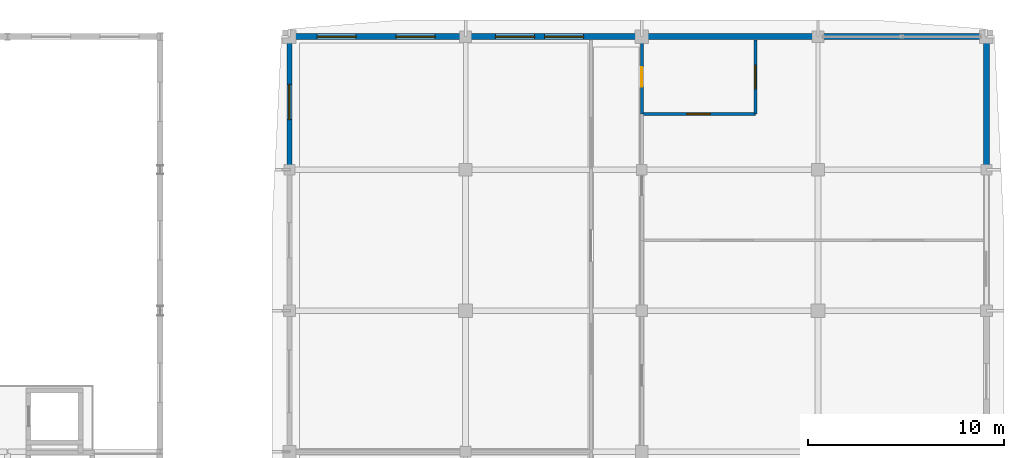
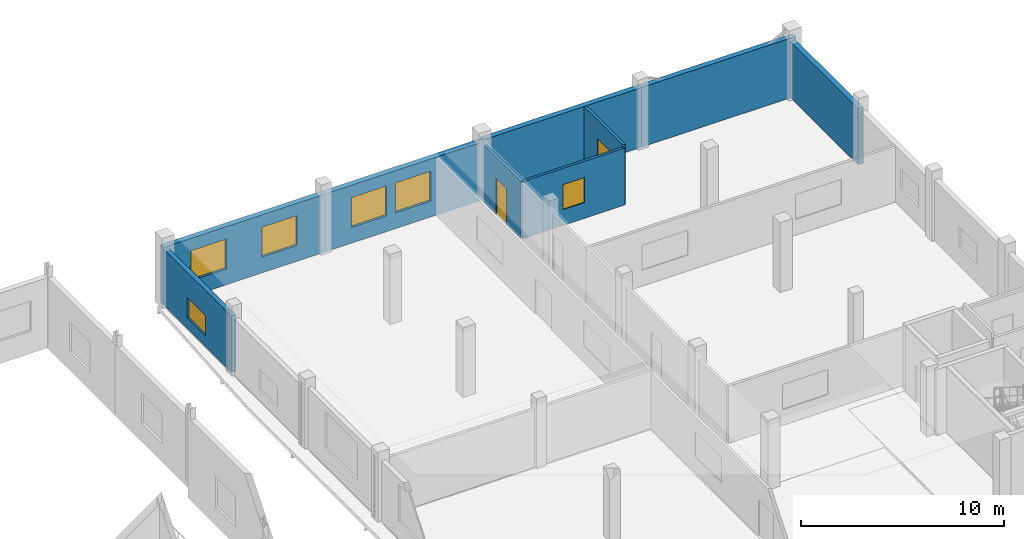
# One storey, part 104 of 121: 9 walls, 7 windows, 1 door, 8 openings.
"""IFC4 building model written with IfcOpenShell, lengths in metres."""

from ifc_helpers import new_model, si_unit, direction, frame, frame_2d, origin, place, context, subcontext, project, spatial, rectangle, extrude, material, layer, layer_set, type_object, element, fill, save


model = new_model("IFC4")

# Units and contexts
model_context = context("Model", 3, precision=1e-05, world=origin(), true_north=direction((0.0, 1.0)))
body_context = subcontext(model_context, "Body", "Model", "MODEL_VIEW")
ifc_project = project(units=[si_unit("LENGTHUNIT", "METRE"), si_unit("AREAUNIT", "SQUARE_METRE"), si_unit("VOLUMEUNIT", "CUBIC_METRE"), si_unit("PLANEANGLEUNIT", "RADIAN"), si_unit("MASSUNIT", "GRAM", prefix="KILO")], contexts=[model_context])

# Site, building, storey
site_placement = place(None, origin())
site = spatial("IfcSite", under=ifc_project, at=site_placement, CompositionType="ELEMENT")
building_placement = place(site_placement, origin())
building = spatial("IfcBuilding", under=site, at=building_placement, Name="Vinh Khe Railworks Police Headquarters", CompositionType="ELEMENT")
storey_placement = place(building_placement, frame((0.0, 0.0, 4.800048828125)))
storey = spatial("IfcBuildingStorey", under=building, at=storey_placement, Name="L01", CompositionType="ELEMENT", Elevation=4.800048828125)

# Wall, opening, window
ifc_material_1 = material(Name="Clay brickwork", Category="masonry")
ifc_layer_1 = layer(ifc_material_1, 0.260009765625)
ifc_layer_set_1 = layer_set([ifc_layer_1], Name="Clay brickwork")
wall_type_1 = type_object("IfcWallType", Name="EW-BRK-260", PredefinedType="SOLIDWALL", material=ifc_layer_set_1)
wall_1_placement = place(storey_placement, frame((78.0, 159.60009765625, 0.0), z_axis=(0.0, 0.0, 1.0), x_axis=(0.0, 1.0, 0.0)))
wall_1 = element("IfcWall", 1, at=wall_1_placement, inside=storey, type_object=wall_type_1, Name="Exterior Brick Wall EW-L01-V6W-09", PredefinedType="SOLIDWALL", context=body_context, shape_type="SweptSolid", body=[
    extrude(rectangle(XDim=6.929931640625, YDim=0.260009765625, at=frame_2d((3.46484375, 0.0))), origin(), (0.0, 0.0, 1.0), 3.375),
])
opening_1_placement = place(wall_1_placement, frame((2.56494140625, 0.0, 0.64990234375)))
opening_1 = element("IfcOpeningElement", 2, at=opening_1_placement, cuts=wall_1, Name="Opening WN-08", PredefinedType="OPENING", context=body_context, shape_type="SweptSolid", body=[
    extrude(rectangle(XDim=1.800048828125, YDim=1.199951171875, at=frame_2d((0.89990234375, 0.60009765625))), frame((0.0, 0.14501953125, 0.0), z_axis=(0.0, -1.0, 0.0), x_axis=(1.0, 0.0, 0.0)), (0.0, 0.0, 1.0), 0.289794921875),
])
ifc_material_2 = material(Name="Double-glazed solar-control glass in dark steel frame", Category="steel")
window_type_1 = type_object("IfcWindowType", Name="WIN-WN-08", PartitioningType="SINGLE_PANEL", PredefinedType="WINDOW", material=ifc_material_2)
window_1_placement = place(opening_1_placement, origin())
window_1 = element("IfcWindow", 3, at=window_1_placement, inside=storey, type_object=window_type_1, Name="Casement Window WN-08", OverallHeight=1.199951171875, OverallWidth=1.800048828125, PartitioningType="SINGLE_PANEL", PredefinedType="WINDOW", context=body_context, shape_type="SweptSolid", body=[
    extrude(rectangle(XDim=1.800048828125, YDim=1.199951171875, at=frame_2d((0.89990234375, 0.60009765625))), frame((0.0, 0.030029296875, 0.0), z_axis=(0.0, -1.0, 0.0), x_axis=(1.0, 0.0, 0.0)), (0.0, 0.0, 1.0), 0.06005859375),
])
fill(opening_1, window_1)

# Wall
ifc_layer_2 = layer(ifc_material_1, 0.300048828125)
ifc_layer_set_2 = layer_set([ifc_layer_2], Name="Clay brickwork")
wall_type_2 = type_object("IfcWallType", Name="EW-BRK-300", PredefinedType="SOLIDWALL", material=ifc_layer_set_2)
wall_2_placement = place(storey_placement, frame((113.60009765625, 159.60009765625, 0.0), z_axis=(0.0, 0.0, 1.0), x_axis=(0.0, 1.0, 0.0)))
element("IfcWall", 4, at=wall_2_placement, inside=storey, type_object=wall_type_2, Name="Exterior Brick Wall EW-L01-V6E-09", PredefinedType="SOLIDWALL", context=body_context, shape_type="SweptSolid", body=[
    extrude(rectangle(XDim=6.949951171875, YDim=0.300048828125, at=frame_2d((3.47509765625, 0.0))), origin(), (0.0, 0.0, 1.0), 3.375),
])

# Wall, openings, windows
wall_3_placement = place(storey_placement, frame((77.85009765625, 166.39990234375, 0.0), z_axis=(0.0, 0.0, 1.0), x_axis=(1.0, 0.0, 0.0)))
wall_3 = element("IfcWall", 5, at=wall_3_placement, inside=storey, type_object=wall_type_2, Name="Exterior Brick Wall EW-L01-V6N-01", PredefinedType="SOLIDWALL", context=body_context, shape_type="SweptSolid", body=[
    extrude(rectangle(XDim=9.14990234375, YDim=0.300048828125, at=frame_2d((4.574951171875, 0.0))), origin(), (0.0, 0.0, 1.0), 3.48486328125),
])
opening_2_placement = place(wall_3_placement, frame((1.56201171875, 0.0, 0.949951171875)))
opening_2 = element("IfcOpeningElement", 6, at=opening_2_placement, cuts=wall_3, Name="Opening WN-04", PredefinedType="OPENING", context=body_context, shape_type="SweptSolid", body=[
    extrude(rectangle(XDim=2.0, YDim=1.800048828125, at=frame_2d((1.0, 0.89990234375))), frame((0.0, 0.1650390625, 0.0), z_axis=(0.0, -1.0, 0.0), x_axis=(1.0, 0.0, 0.0)), (0.0, 0.0, 1.0), 0.329833984375),
])
opening_3_placement = place(wall_3_placement, frame((5.587890625, 0.0, 0.949951171875)))
opening_3 = element("IfcOpeningElement", 7, at=opening_3_placement, cuts=wall_3, Name="Opening WN-04", PredefinedType="OPENING", context=body_context, shape_type="SweptSolid", body=[
    extrude(rectangle(XDim=2.0, YDim=1.800048828125, at=frame_2d((1.0, 0.89990234375))), frame((0.0, 0.1650390625, 0.0), z_axis=(0.0, -1.0, 0.0), x_axis=(1.0, 0.0, 0.0)), (0.0, 0.0, 1.0), 0.329833984375),
])
window_type_2 = type_object("IfcWindowType", Name="WIN-WN-04", PartitioningType="DOUBLE_PANEL_VERTICAL", PredefinedType="WINDOW", material=ifc_material_2)
window_2_placement = place(opening_2_placement, origin())
window_2 = element("IfcWindow", 8, at=window_2_placement, inside=storey, type_object=window_type_2, Name="Casement Window WN-04", OverallHeight=1.800048828125, OverallWidth=2.0, PartitioningType="SINGLE_PANEL", PredefinedType="WINDOW", context=body_context, shape_type="SweptSolid", body=[
    extrude(rectangle(XDim=2.0, YDim=1.800048828125, at=frame_2d((1.0, 0.89990234375))), frame((0.0, 0.030029296875, 0.0), z_axis=(0.0, -1.0, 0.0), x_axis=(1.0, 0.0, 0.0)), (0.0, 0.0, 1.0), 0.06005859375),
])
fill(opening_2, window_2)
window_3_placement = place(opening_3_placement, origin())
window_3 = element("IfcWindow", 9, at=window_3_placement, inside=storey, type_object=window_type_2, Name="Casement Window WN-04", OverallHeight=1.800048828125, OverallWidth=2.0, PartitioningType="SINGLE_PANEL", PredefinedType="WINDOW", context=body_context, shape_type="SweptSolid", body=[
    extrude(rectangle(XDim=2.0, YDim=1.800048828125, at=frame_2d((1.0, 0.89990234375))), frame((0.0, 0.030029296875, 0.0), z_axis=(0.0, -1.0, 0.0), x_axis=(1.0, 0.0, 0.0)), (0.0, 0.0, 1.0), 0.06005859375),
])
fill(opening_3, window_3)

wall_4_placement = place(storey_placement, frame((87.0, 166.39990234375, 0.0), z_axis=(0.0, 0.0, 1.0), x_axis=(1.0, 0.0, 0.0)))
wall_4 = element("IfcWall", 10, at=wall_4_placement, inside=storey, type_object=wall_type_2, Name="Exterior Brick Wall EW-L01-V6N-02", PredefinedType="SOLIDWALL", context=body_context, shape_type="SweptSolid", body=[
    extrude(rectangle(XDim=9.0, YDim=0.300048828125, at=frame_2d((4.5, 0.0))), origin(), (0.0, 0.0, 1.0), 3.48486328125),
])
opening_4_placement = place(wall_4_placement, frame((1.52001953125, 0.0, 0.949951171875)))
opening_4 = element("IfcOpeningElement", 11, at=opening_4_placement, cuts=wall_4, Name="Opening WN-04", PredefinedType="OPENING", context=body_context, shape_type="SweptSolid", body=[
    extrude(rectangle(XDim=2.0, YDim=1.800048828125, at=frame_2d((1.0, 0.89990234375))), frame((0.0, 0.1650390625, 0.0), z_axis=(0.0, -1.0, 0.0), x_axis=(1.0, 0.0, 0.0)), (0.0, 0.0, 1.0), 0.329833984375),
])
opening_5_placement = place(wall_4_placement, frame((4.030029296875, 0.0, 0.949951171875)))
opening_5 = element("IfcOpeningElement", 12, at=opening_5_placement, cuts=wall_4, Name="Opening WN-04", PredefinedType="OPENING", context=body_context, shape_type="SweptSolid", body=[
    extrude(rectangle(XDim=2.0, YDim=1.800048828125, at=frame_2d((1.0, 0.89990234375))), frame((0.0, 0.1650390625, 0.0), z_axis=(0.0, -1.0, 0.0), x_axis=(1.0, 0.0, 0.0)), (0.0, 0.0, 1.0), 0.329833984375),
])
window_4_placement = place(opening_4_placement, origin())
window_4 = element("IfcWindow", 13, at=window_4_placement, inside=storey, type_object=window_type_2, Name="Casement Window WN-04", OverallHeight=1.800048828125, OverallWidth=2.0, PartitioningType="SINGLE_PANEL", PredefinedType="WINDOW", context=body_context, shape_type="SweptSolid", body=[
    extrude(rectangle(XDim=2.0, YDim=1.800048828125, at=frame_2d((1.0, 0.89990234375))), frame((0.0, 0.030029296875, 0.0), z_axis=(0.0, -1.0, 0.0), x_axis=(1.0, 0.0, 0.0)), (0.0, 0.0, 1.0), 0.06005859375),
])
fill(opening_4, window_4)
window_5_placement = place(opening_5_placement, origin())
window_5 = element("IfcWindow", 14, at=window_5_placement, inside=storey, type_object=window_type_2, Name="Casement Window WN-04", OverallHeight=1.800048828125, OverallWidth=2.0, PartitioningType="SINGLE_PANEL", PredefinedType="WINDOW", context=body_context, shape_type="SweptSolid", body=[
    extrude(rectangle(XDim=2.0, YDim=1.800048828125, at=frame_2d((1.0, 0.89990234375))), frame((0.0, 0.030029296875, 0.0), z_axis=(0.0, -1.0, 0.0), x_axis=(1.0, 0.0, 0.0)), (0.0, 0.0, 1.0), 0.06005859375),
])
fill(opening_5, window_5)

# Walls
wall_5_placement = place(storey_placement, frame((96.0, 166.39990234375, 0.0), z_axis=(0.0, 0.0, 1.0), x_axis=(1.0, 0.0, 0.0)))
element("IfcWall", 15, at=wall_5_placement, inside=storey, type_object=wall_type_2, Name="Exterior Brick Wall EW-L01-V6N-03", PredefinedType="SOLIDWALL", context=body_context, shape_type="SweptSolid", body=[
    extrude(rectangle(XDim=9.0, YDim=0.300048828125, at=frame_2d((4.5, 0.0))), origin(), (0.0, 0.0, 1.0), 3.5849609375),
])
wall_6_placement = place(storey_placement, frame((105.0, 166.39990234375, 0.0), z_axis=(0.0, 0.0, 1.0), x_axis=(1.0, 0.0, 0.0)))
element("IfcWall", 16, at=wall_6_placement, inside=storey, type_object=wall_type_2, Name="Exterior Brick Wall EW-L01-V6N-04", PredefinedType="SOLIDWALL", context=body_context, shape_type="SweptSolid", body=[
    extrude(rectangle(XDim=8.75, YDim=0.300048828125, at=frame_2d((4.375, 0.0))), origin(), (0.0, 0.0, 1.0), 3.5849609375),
])

# Wall, opening, window
ifc_material_3 = material(Name="Gypsum plasterboard on steel stud", Category="steel")
ifc_layer_3 = layer(ifc_material_3, 0.1201171875)
ifc_layer_set_3 = layer_set([ifc_layer_3], Name="Gypsum plasterboard on steel stud")
wall_type_3 = type_object("IfcWallType", Name="IW-PART-120", PredefinedType="PARTITIONING", material=ifc_layer_set_3)
wall_7_placement = place(storey_placement, frame((96.0, 162.447021484375, 0.0), z_axis=(0.0, 0.0, 1.0), x_axis=(1.0, 0.0, 0.0)))
wall_7 = element("IfcWall", 17, at=wall_7_placement, inside=storey, type_object=wall_type_3, Name="Interior Partition W-L01-V6-V6WC1S-DIV", PredefinedType="PARTITIONING", context=body_context, shape_type="SweptSolid", body=[
    extrude(rectangle(XDim=5.800048828125, YDim=0.14990234375, at=frame_2d((2.89990234375, 0.0))), origin(), (0.0, 0.0, 1.0), 3.425048828125),
])
opening_6_placement = place(wall_7_placement, frame((2.300048828125, 0.0, 0.949951171875)))
opening_6 = element("IfcOpeningElement", 18, at=opening_6_placement, cuts=wall_7, Name="Opening WN-10", PredefinedType="OPENING", context=body_context, shape_type="SweptSolid", body=[
    extrude(rectangle(XDim=1.199951171875, YDim=1.5, at=frame_2d((0.60009765625, 0.75))), frame((0.0, 0.08984375, 0.0), z_axis=(0.0, -1.0, 0.0), x_axis=(1.0, 0.0, 0.0)), (0.0, 0.0, 1.0), 0.1796875),
])
window_type_3 = type_object("IfcWindowType", Name="WIN-WN-10", PartitioningType="SINGLE_PANEL", PredefinedType="WINDOW", material=ifc_material_2)
window_6_placement = place(opening_6_placement, origin())
window_6 = element("IfcWindow", 19, at=window_6_placement, inside=storey, type_object=window_type_3, Name="Interior Acoustic Vision Window WN-10", OverallHeight=1.5, OverallWidth=1.199951171875, PartitioningType="SINGLE_PANEL", PredefinedType="WINDOW", context=body_context, shape_type="SweptSolid", body=[
    extrude(rectangle(XDim=1.199951171875, YDim=1.5, at=frame_2d((0.60009765625, 0.75))), frame((0.0, 0.030029296875, 0.0), z_axis=(0.0, -1.0, 0.0), x_axis=(1.0, 0.0, 0.0)), (0.0, 0.0, 1.0), 0.06005859375),
])
fill(opening_6, window_6)

wall_8_placement = place(storey_placement, frame((101.800048828125, 162.447021484375, 0.0), z_axis=(0.0, 0.0, 1.0), x_axis=(0.0, 1.0, 0.0)))
wall_8 = element("IfcWall", 20, at=wall_8_placement, inside=storey, type_object=wall_type_3, Name="Interior Partition W-L01-V6-V6WC1-REAR", PredefinedType="PARTITIONING", context=body_context, shape_type="SweptSolid", body=[
    extrude(rectangle(XDim=3.79296875, YDim=0.14990234375, at=frame_2d((1.896484375, 0.0))), origin(), (0.0, 0.0, 1.0), 3.5849609375),
])
opening_7_placement = place(wall_8_placement, frame((1.29638671875, 0.0, 0.949951171875)))
opening_7 = element("IfcOpeningElement", 21, at=opening_7_placement, cuts=wall_8, Name="Opening WN-10", PredefinedType="OPENING", context=body_context, shape_type="SweptSolid", body=[
    extrude(rectangle(XDim=1.199951171875, YDim=1.5, at=frame_2d((0.60009765625, 0.75))), frame((0.0, 0.08984375, 0.0), z_axis=(0.0, -1.0, 0.0), x_axis=(1.0, 0.0, 0.0)), (0.0, 0.0, 1.0), 0.1796875),
])
window_7_placement = place(opening_7_placement, origin())
window_7 = element("IfcWindow", 22, at=window_7_placement, inside=storey, type_object=window_type_3, Name="Interior Acoustic Vision Window WN-10", OverallHeight=1.5, OverallWidth=1.199951171875, PartitioningType="SINGLE_PANEL", PredefinedType="WINDOW", context=body_context, shape_type="SweptSolid", body=[
    extrude(rectangle(XDim=1.199951171875, YDim=1.5, at=frame_2d((0.60009765625, 0.75))), frame((0.0, 0.030029296875, 0.0), z_axis=(0.0, -1.0, 0.0), x_axis=(1.0, 0.0, 0.0)), (0.0, 0.0, 1.0), 0.06005859375),
])
fill(opening_7, window_7)

# Wall, opening, door
ifc_material_4 = material(Name="Gypsum plasterboard on acoustic steel stud", Category="steel")
ifc_layer_4 = layer(ifc_material_4, 0.14990234375)
ifc_layer_set_4 = layer_set([ifc_layer_4], Name="Gypsum plasterboard on acoustic steel stud")
wall_type_4 = type_object("IfcWallType", Name="IW-PART-150", PredefinedType="PARTITIONING", material=ifc_layer_set_4)
wall_9_placement = place(storey_placement, frame((96.0, 162.447021484375, 0.0), z_axis=(0.0, 0.0, 1.0), x_axis=(0.0, 1.0, 0.0)))
wall_9 = element("IfcWall", 23, at=wall_9_placement, inside=storey, type_object=wall_type_4, Name="Interior Partition W-L01-V6-V6WC1-CE", PredefinedType="PARTITIONING", context=body_context, shape_type="SweptSolid", body=[
    extrude(rectangle(XDim=3.79296875, YDim=0.14990234375, at=frame_2d((1.896484375, 0.0))), origin(), (0.0, 0.0, 1.0), 3.425048828125),
])
opening_8_placement = place(wall_9_placement, frame((1.39697265625, 0.0, 0.0)))
opening_8 = element("IfcOpeningElement", 24, at=opening_8_placement, cuts=wall_9, Name="Opening D-05", PredefinedType="OPENING", context=body_context, shape_type="SweptSolid", body=[
    extrude(rectangle(XDim=1.0, YDim=2.14990234375, at=frame_2d((0.5, 1.074951171875))), frame((0.0, 0.08984375, 0.0), z_axis=(0.0, -1.0, 0.0), x_axis=(1.0, 0.0, 0.0)), (0.0, 0.0, 1.0), 0.1796875),
])
ifc_material_5 = material(Name="Seasoned hardwood timber", Category="wood")
door_type = type_object("IfcDoorType", Name="ID-1000x2150", OperationType="NOTDEFINED", PredefinedType="DOOR", material=ifc_material_5)
door_placement = place(opening_8_placement, origin())
door = element("IfcDoor", 25, at=door_placement, inside=storey, type_object=door_type, Name="Staff and Accessible WC L01 East Door", OperationType="SINGLE_SWING_LEFT", OverallHeight=2.14990234375, OverallWidth=1.0, PredefinedType="DOOR", context=body_context, shape_type="SweptSolid", body=[
    extrude(rectangle(XDim=1.0, YDim=2.14990234375, at=frame_2d((0.5, 1.074951171875))), frame((0.0, 0.02490234375, 0.0), z_axis=(0.0, -1.0, 0.0), x_axis=(1.0, 0.0, 0.0)), (0.0, 0.0, 1.0), 0.050048828125),
])
fill(opening_8, door)

save(model, "model.ifc")
